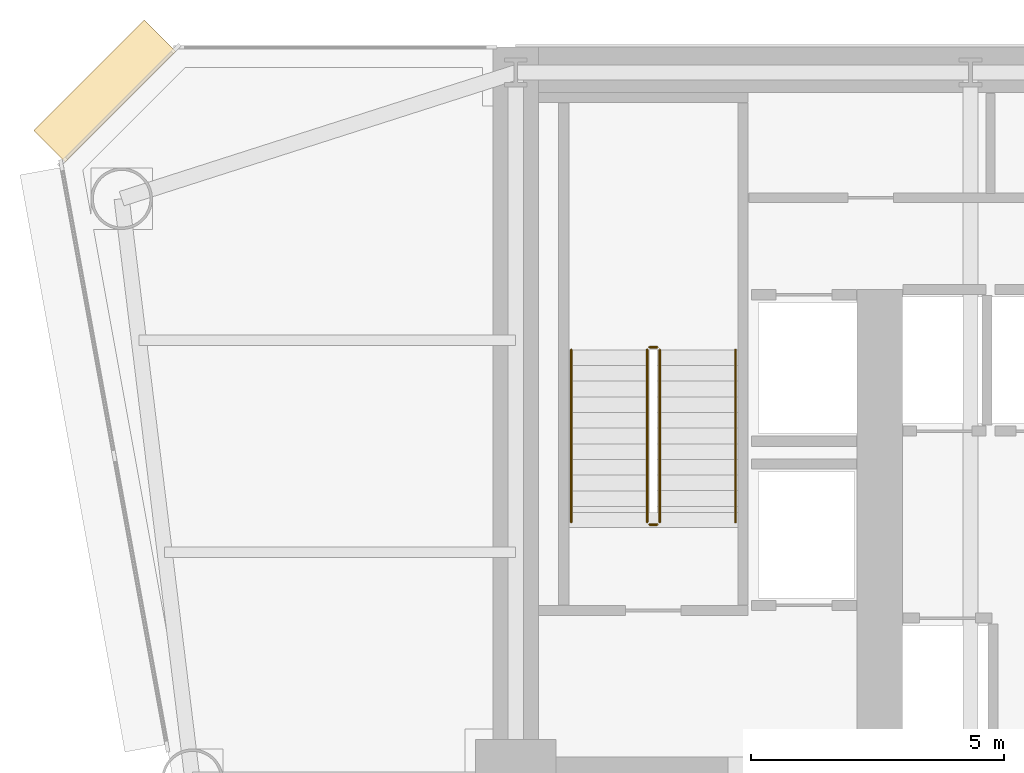
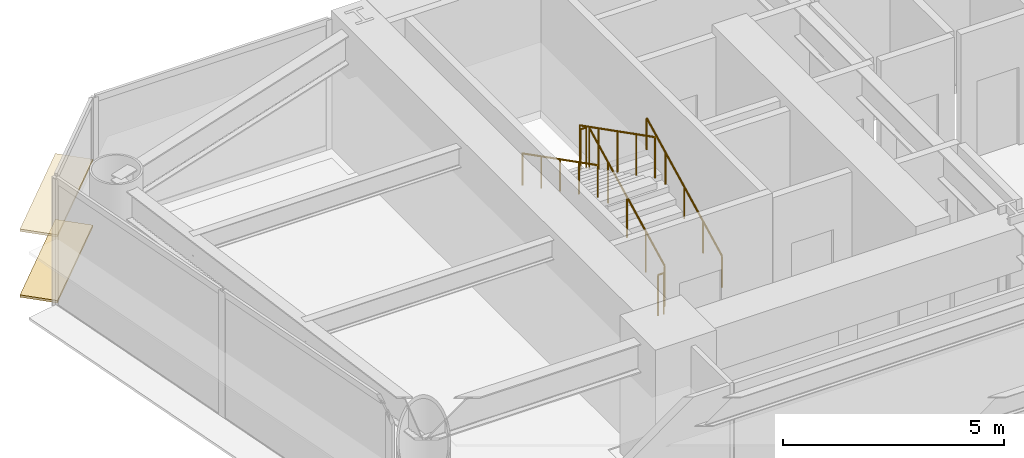
# One storey, part 12 of 14: 6 railings, 2 coverings.
"""IFC4 building model written with IfcOpenShell, lengths in metres."""

from ifc_helpers import new_model, si_unit, direction, frame, origin, origin_2d, place, context, subcontext, project, spatial, rectangle, circle, extrude, source, transform, mapped, material, layer, layer_set, type_object, element, save


model = new_model("IFC4")

# Units and contexts
model_context = context("Model", 3, precision=1e-05, world=origin(), true_north=direction((0.0, 1.0)))
body_context = subcontext(model_context, "Body", "Model", "MODEL_VIEW")
ifc_project = project(units=[si_unit("LENGTHUNIT", "METRE"), si_unit("AREAUNIT", "SQUARE_METRE"), si_unit("VOLUMEUNIT", "CUBIC_METRE"), si_unit("PLANEANGLEUNIT", "RADIAN"), si_unit("MASSUNIT", "GRAM", prefix="KILO")], contexts=[model_context])

# Site, building, storey
site_placement = place(None, origin())
site = spatial("IfcSite", under=ifc_project, at=site_placement, CompositionType="ELEMENT")
building_placement = place(site_placement, origin())
building = spatial("IfcBuilding", under=site, at=building_placement, Name="Vaeldorn Concourse Tower", CompositionType="ELEMENT")
storey_placement = place(building_placement, frame((0.0, 0.0, 37.800048828125)))
storey = spatial("IfcBuildingStorey", under=building, at=storey_placement, Name="L09", CompositionType="ELEMENT", Elevation=37.800048828125)

# Railings
ifc_material = material(Name="Anodised Bronze Aluminium", Category="aluminium")
railing_type_1 = type_object("IfcRailingType", Name="RL-STAIR-GUARD", PredefinedType="GUARDRAIL", material=ifc_material)
railing_1_placement = place(storey_placement, frame((16.85009765625, 41.60009765625, 0.158203125)))
element("IfcRailing", 1, at=railing_1_placement, inside=storey, type_object=railing_type_1, Name="L09 ST-1 stair guard 1", PredefinedType="GUARDRAIL", context=body_context, shape_type="SweptSolid", body=[
    extrude(circle(Radius=0.02392578125, at=origin_2d()), frame((0.0, 0.0, 1.1259765625), z_axis=(0.0, 0.890555807335, 0.454873997962), x_axis=(-1.0, 0.0, 0.0)), (0.0, 0.0, 1.0), 3.828857421875),
    extrude(circle(Radius=0.02099609375, at=origin_2d()), origin(), (0.0, 0.0, 1.0), 1.101806640625),
    extrude(circle(Radius=0.02099609375, at=origin_2d()), frame((0.0, 0.8525390625, 0.435546875)), (0.0, 0.0, 1.0), 1.101806640625),
    extrude(circle(Radius=0.02099609375, at=origin_2d()), frame((0.0, 1.705078125, 0.870849609375)), (0.0, 0.0, 1.0), 1.101806640625),
    extrude(circle(Radius=0.02099609375, at=origin_2d()), frame((0.0, 2.557373046875, 1.30615234375)), (0.0, 0.0, 1.0), 1.101806640625),
    extrude(circle(Radius=0.02099609375, at=origin_2d()), frame((0.0, 3.409912109375, 1.74169921875)), (0.0, 0.0, 1.0), 1.101806640625),
])
railing_2_placement = place(storey_placement, frame((16.800048828125, 45.06005859375, 1.89990234375)))
element("IfcRailing", 2, at=railing_2_placement, inside=storey, type_object=railing_type_1, Name="L09 ST-1 stair guard 2", PredefinedType="GUARDRAIL", context=body_context, shape_type="SweptSolid", body=[
    extrude(circle(Radius=0.02392578125, at=origin_2d()), frame((0.0, 0.0, 1.1259765625), z_axis=(-1.0, 0.0, 0.0), x_axis=(0.0, -1.0, 0.0)), (0.0, 0.0, 1.0), 0.150146484375),
    extrude(circle(Radius=0.02099609375, at=origin_2d()), origin(), (0.0, 0.0, 1.0), 1.101806640625),
    extrude(circle(Radius=0.02099609375, at=origin_2d()), frame((-0.150146484375, 0.0, 0.0)), (0.0, 0.0, 1.0), 1.101806640625),
])
railing_3_placement = place(storey_placement, frame((16.60009765625, 45.010009765625, 2.058349609375)))
element("IfcRailing", 3, at=railing_3_placement, inside=storey, type_object=railing_type_1, Name="L09 ST-1 stair guard 3", PredefinedType="GUARDRAIL", context=body_context, shape_type="SweptSolid", body=[
    extrude(circle(Radius=0.02392578125, at=origin_2d()), frame((0.0, 0.0, 1.1259765625), z_axis=(0.0, -0.890555807335, 0.454873997962), x_axis=(1.0, 0.0, 0.0)), (0.0, 0.0, 1.0), 3.828857421875),
    extrude(circle(Radius=0.02099609375, at=origin_2d()), origin(), (0.0, 0.0, 1.0), 1.101806640625),
    extrude(circle(Radius=0.02099609375, at=origin_2d()), frame((0.0, -0.8525390625, 0.435546875)), (0.0, 0.0, 1.0), 1.101806640625),
    extrude(circle(Radius=0.02099609375, at=origin_2d()), frame((0.0, -1.705078125, 0.870849609375)), (0.0, 0.0, 1.0), 1.101806640625),
    extrude(circle(Radius=0.02099609375, at=origin_2d()), frame((0.0, -2.557373046875, 1.30615234375)), (0.0, 0.0, 1.0), 1.101806640625),
    extrude(circle(Radius=0.02099609375, at=origin_2d()), frame((0.0, -3.409912109375, 1.74169921875)), (0.0, 0.0, 1.0), 1.101806640625),
])
railing_4_placement = place(storey_placement, frame((16.800048828125, 41.550048828125, 0.0)))
element("IfcRailing", 4, at=railing_4_placement, inside=storey, type_object=railing_type_1, Name="L09 ST-1 stair guard 4", PredefinedType="GUARDRAIL", context=body_context, shape_type="SweptSolid", body=[
    extrude(circle(Radius=0.02392578125, at=origin_2d()), frame((0.0, 0.0, 1.1259765625), z_axis=(-1.0, 0.0, 0.0), x_axis=(0.0, -1.0, 0.0)), (0.0, 0.0, 1.0), 0.150146484375),
    extrude(circle(Radius=0.02099609375, at=origin_2d()), origin(), (0.0, 0.0, 1.0), 1.101806640625),
    extrude(circle(Radius=0.02099609375, at=origin_2d()), frame((-0.150146484375, 0.0, 0.0)), (0.0, 0.0, 1.0), 1.101806640625),
])
railing_type_2 = type_object("IfcRailingType", Name="RL-STAIR-HANDRAIL", PredefinedType="HANDRAIL", material=ifc_material)
railing_5_placement = place(storey_placement, frame((18.35009765625, 41.60009765625, 0.158203125)))
element("IfcRailing", 5, at=railing_5_placement, inside=storey, type_object=railing_type_2, Name="L09 ST-1 stair handrail 1", PredefinedType="HANDRAIL", context=body_context, shape_type="SweptSolid", body=[
    extrude(circle(Radius=0.02392578125, at=origin_2d()), frame((0.0, 0.0, 0.8759765625), z_axis=(0.0, 0.890555807335, 0.454873997962), x_axis=(-1.0, 0.0, 0.0)), (0.0, 0.0, 1.0), 3.828857421875),
    extrude(circle(Radius=0.02099609375, at=origin_2d()), origin(), (0.0, 0.0, 1.0), 0.851806640625),
    extrude(circle(Radius=0.02099609375, at=origin_2d()), frame((0.0, 0.8525390625, 0.435546875)), (0.0, 0.0, 1.0), 0.851806640625),
    extrude(circle(Radius=0.02099609375, at=origin_2d()), frame((0.0, 1.705078125, 0.870849609375)), (0.0, 0.0, 1.0), 0.851806640625),
    extrude(circle(Radius=0.02099609375, at=origin_2d()), frame((0.0, 2.557373046875, 1.30615234375)), (0.0, 0.0, 1.0), 0.851806640625),
    extrude(circle(Radius=0.02099609375, at=origin_2d()), frame((0.0, 3.409912109375, 1.74169921875)), (0.0, 0.0, 1.0), 0.851806640625),
])
railing_6_placement = place(storey_placement, frame((15.10009765625, 45.010009765625, 2.058349609375)))
element("IfcRailing", 6, at=railing_6_placement, inside=storey, type_object=railing_type_2, Name="L09 ST-1 stair handrail 2", PredefinedType="HANDRAIL", context=body_context, shape_type="SweptSolid", body=[
    extrude(circle(Radius=0.02392578125, at=origin_2d()), frame((0.0, 0.0, 0.8759765625), z_axis=(0.0, -0.890555807335, 0.454873997962), x_axis=(1.0, 0.0, 0.0)), (0.0, 0.0, 1.0), 3.828857421875),
    extrude(circle(Radius=0.02099609375, at=origin_2d()), origin(), (0.0, 0.0, 1.0), 0.851806640625),
    extrude(circle(Radius=0.02099609375, at=origin_2d()), frame((0.0, -0.8525390625, 0.435546875)), (0.0, 0.0, 1.0), 0.851806640625),
    extrude(circle(Radius=0.02099609375, at=origin_2d()), frame((0.0, -1.705078125, 0.870849609375)), (0.0, 0.0, 1.0), 0.851806640625),
    extrude(circle(Radius=0.02099609375, at=origin_2d()), frame((0.0, -2.557373046875, 1.30615234375)), (0.0, 0.0, 1.0), 0.851806640625),
    extrude(circle(Radius=0.02099609375, at=origin_2d()), frame((0.0, -3.409912109375, 1.74169921875)), (0.0, 0.0, 1.0), 0.851806640625),
])

# Coverings
ifc_layer = layer(ifc_material, 0.06494140625)
ifc_layer_set = layer_set([ifc_layer], Name="Anodised Bronze Aluminium")
covering_type = type_object("IfcCoveringType", Name="SD-BRONZE-SUNSHADE", PredefinedType="USERDEFINED", material=ifc_layer_set)
shared_shape = source(origin(), body_context, "Body", "SweptSolid", [
    extrude(rectangle(XDim=3.0927734375, YDim=0.8798828125, at=origin_2d()), origin(), (0.0, 0.0, 1.0), 0.06494140625),
])
for number, where, z_axis, x_axis, name in (
    (7, (5.8671875, 50.1328125, 0.04736328125), (0.0, 0.0, 1.0), (-0.707106781187, -0.707106781187, 0.0), "Horizontal Bronze Sunshade L09-E10.1.1"),
    (8, (5.8671875, 50.1328125, 1.867431640625), (0.0, 0.0, 1.0), (-0.707106781187, -0.707106781187, 0.0), "Horizontal Bronze Sunshade L09-E10.1.2"),
):
    element("IfcCovering", number, at=place(storey_placement, frame(where, z_axis=z_axis, x_axis=x_axis)), inside=storey, type_object=covering_type, Name=name, ObjectType="SUNSHADE", PredefinedType="USERDEFINED", context=body_context, shape_type="MappedRepresentation", body=[
        mapped(shared_shape, transform((0.0, 0.0, 0.0), scale=1.0)),
    ])

save(model, "model.ifc")
